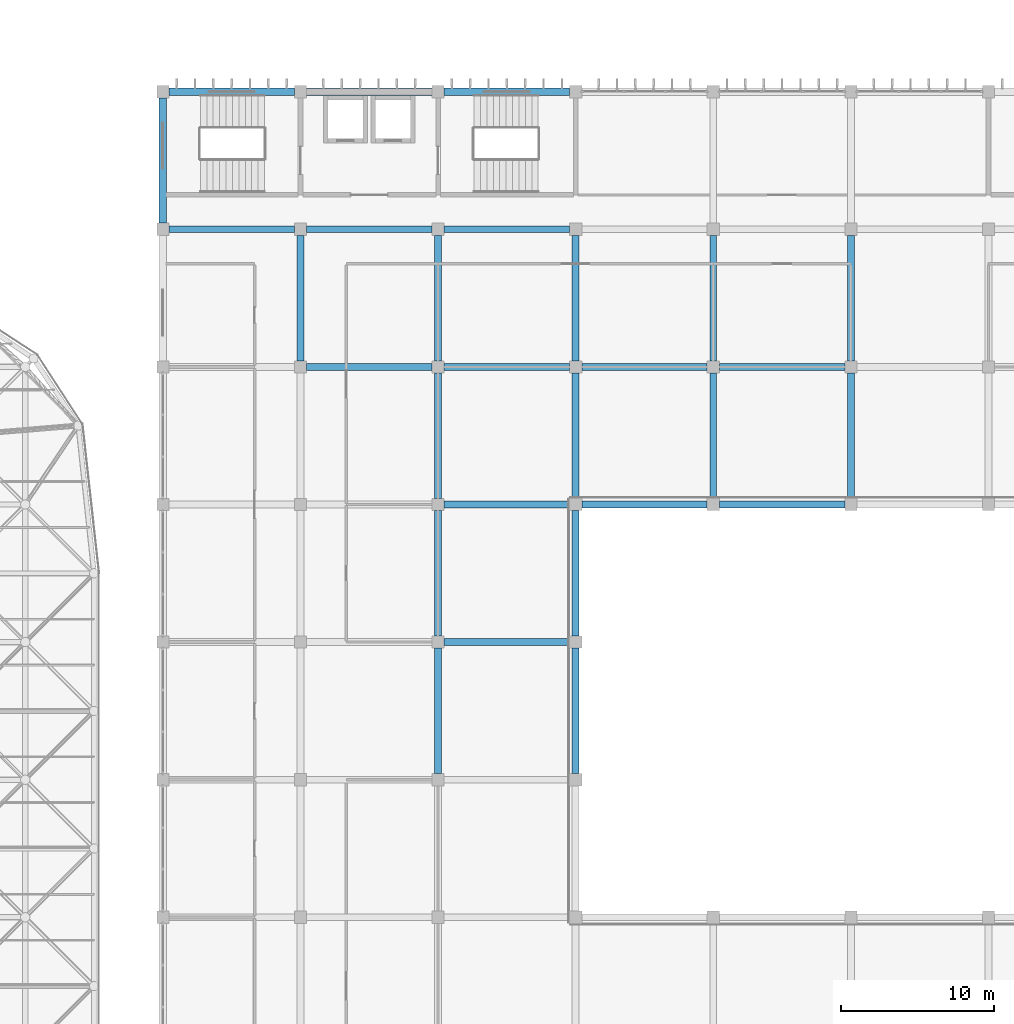
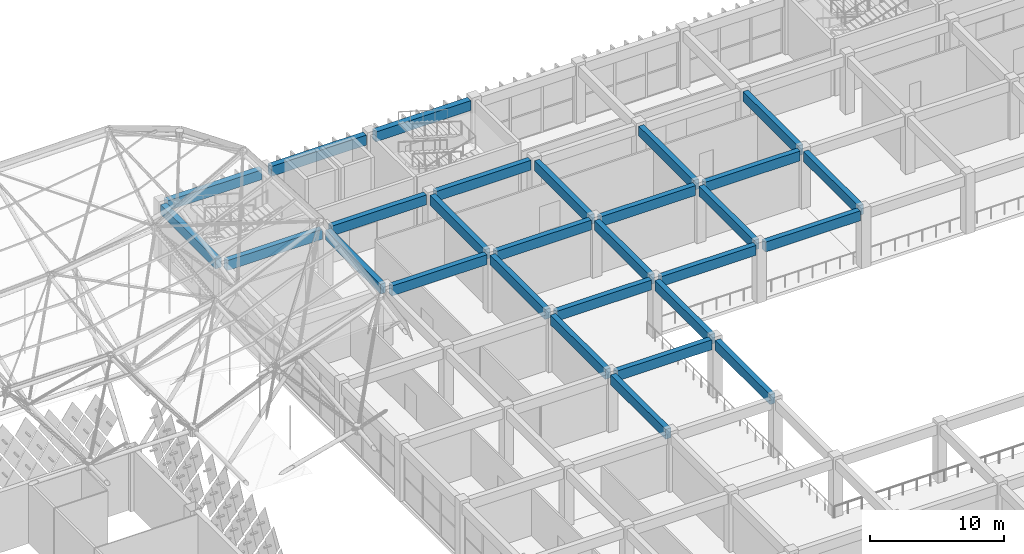
# One storey, part 213 of 437: 28 beams.
"""IFC4 building model written with IfcOpenShell, lengths in metres."""

from ifc_helpers import new_model, si_unit, direction, frame, origin, origin_2d, place, context, subcontext, project, spatial, rectangle, extrude, material, material_profile, profile_set, type_object, element, save


model = new_model("IFC4")

# Units and contexts
model_context = context("Model", 3, precision=1e-05, world=origin(), true_north=direction((0.0, 1.0)))
body_context = subcontext(model_context, "Body", "Model", "MODEL_VIEW")
ifc_project = project(units=[si_unit("LENGTHUNIT", "METRE"), si_unit("AREAUNIT", "SQUARE_METRE"), si_unit("VOLUMEUNIT", "CUBIC_METRE"), si_unit("PLANEANGLEUNIT", "RADIAN"), si_unit("MASSUNIT", "GRAM", prefix="KILO")], contexts=[model_context])

# Site, building, storey
site_placement = place(None, origin())
site = spatial("IfcSite", under=ifc_project, at=site_placement, CompositionType="ELEMENT")
building_placement = place(site_placement, origin())
building = spatial("IfcBuilding", under=site, at=building_placement, Name="Opaline Strait Convention Centre", CompositionType="ELEMENT")
storey_placement = place(building_placement, frame((0.0, 0.0, 11.5)))
storey = spatial("IfcBuildingStorey", under=building, at=storey_placement, Name="L02", CompositionType="ELEMENT", Elevation=11.5)

# Beams
ifc_material = material(Name="Concrete C35", Category="concrete")
ifc_material_profile_1 = material_profile(ifc_material, rectangle(XDim=0.449951171875, YDim=0.89990234375, at=origin_2d()), Name="RC 450x900")
ifc_profile_set_1 = profile_set([ifc_material_profile_1], Name="Concrete C35")
beam_type_1 = type_object("IfcBeamType", Name="RC beam 450x900 C35", PredefinedType="BEAM", material=ifc_profile_set_1)
for number, where, z_axis, x_axis, name in (
    (1, (297.39990234375, 144.0, 4.77001953125), (1.0, 0.0, 0.0), (0.0, 1.0, 0.0), "XB1 L02 34/S-35/S"),
    (2, (297.39990234375, 153.0, 4.77001953125), (1.0, 0.0, 0.0), (0.0, 1.0, 0.0), "XB1 L02 34/T-35/T"),
    (3, (306.39990234375, 153.0, 4.77001953125), (1.0, 0.0, 0.0), (0.0, 1.0, 0.0), "XB1 L02 35/T-36/T"),
    (4, (315.39990234375, 153.0, 4.77001953125), (1.0, 0.0, 0.0), (0.0, 1.0, 0.0), "XB1 L02 36/T-37/T"),
    (5, (288.39990234375, 162.0, 4.77001953125), (1.0, 0.0, 0.0), (0.0, 1.0, 0.0), "XB1 L02 33/U-34/U"),
    (6, (297.39990234375, 162.0, 4.77001953125), (1.0, 0.0, 0.0), (0.0, 1.0, 0.0), "XB1 L02 34/U-35/U"),
    (7, (306.39990234375, 162.0, 4.77001953125), (1.0, 0.0, 0.0), (0.0, 1.0, 0.0), "XB1 L02 35/U-36/U"),
    (8, (315.39990234375, 162.0, 4.77001953125), (1.0, 0.0, 0.0), (0.0, 1.0, 0.0), "XB1 L02 36/U-37/U"),
    (9, (279.39990234375, 171.0, 4.77001953125), (1.0, 0.0, 0.0), (0.0, 1.0, 0.0), "XB1 L02 32/V-33/V"),
    (10, (288.39990234375, 171.0, 4.77001953125), (1.0, 0.0, 0.0), (0.0, 1.0, 0.0), "XB1 L02 33/V-34/V"),
    (11, (297.39990234375, 171.0, 4.77001953125), (1.0, 0.0, 0.0), (0.0, 1.0, 0.0), "XB1 L02 34/V-35/V"),
    (12, (288.0, 162.39990234375, 4.77001953125), (0.0, 1.0, 0.0), (-1.0, 0.0, 0.0), "XB1 L02 33/U-33/V"),
    (13, (297.0, 135.39990234375, 4.77001953125), (0.0, 1.0, 0.0), (-1.0, 0.0, 0.0), "XB1 L02 34/R-34/S"),
    (14, (297.0, 144.39990234375, 4.77001953125), (0.0, 1.0, 0.0), (-1.0, 0.0, 0.0), "XB1 L02 34/S-34/T"),
    (15, (297.0, 153.39990234375, 4.77001953125), (0.0, 1.0, 0.0), (-1.0, 0.0, 0.0), "XB1 L02 34/T-34/U"),
    (16, (297.0, 162.39990234375, 4.77001953125), (0.0, 1.0, 0.0), (-1.0, 0.0, 0.0), "XB1 L02 34/U-34/V"),
    (17, (306.0, 135.39990234375, 4.77001953125), (0.0, 1.0, 0.0), (-1.0, 0.0, 0.0), "XB1 L02 35/R-35/S"),
    (18, (306.0, 144.39990234375, 4.77001953125), (0.0, 1.0, 0.0), (-1.0, 0.0, 0.0), "XB1 L02 35/S-35/T"),
    (19, (306.0, 153.39990234375, 4.77001953125), (0.0, 1.0, 0.0), (-1.0, 0.0, 0.0), "XB1 L02 35/T-35/U"),
    (20, (306.0, 162.39990234375, 4.77001953125), (0.0, 1.0, 0.0), (-1.0, 0.0, 0.0), "XB1 L02 35/U-35/V"),
    (21, (315.0, 153.39990234375, 4.77001953125), (0.0, 1.0, 0.0), (-1.0, 0.0, 0.0), "XB1 L02 36/T-36/U"),
    (22, (315.0, 162.39990234375, 4.77001953125), (0.0, 1.0, 0.0), (-1.0, 0.0, 0.0), "XB1 L02 36/U-36/V"),
    (23, (324.0, 153.39990234375, 4.77001953125), (0.0, 1.0, 0.0), (-1.0, 0.0, 0.0), "XB1 L02 37/T-37/U"),
    (24, (324.0, 162.39990234375, 4.77001953125), (0.0, 1.0, 0.0), (-1.0, 0.0, 0.0), "XB1 L02 37/U-37/V"),
):
    element("IfcBeam", number, at=place(storey_placement, frame(where, z_axis=z_axis, x_axis=x_axis)), inside=storey, type_object=beam_type_1, Name=name, PredefinedType="BEAM", context=body_context, shape_type="SweptSolid", body=[
        extrude(rectangle(XDim=0.449951171875, YDim=0.89990234375, at=origin_2d()), origin(), (0.0, 0.0, 1.0), 8.2001953125),
    ])
ifc_material_profile_2 = material_profile(ifc_material, rectangle(XDim=0.5, YDim=0.89990234375, at=origin_2d()), Name="RC 500x900")
ifc_profile_set_2 = profile_set([ifc_material_profile_2], Name="Concrete C35")
beam_type_2 = type_object("IfcBeamType", Name="RC edge beam 500x900 C35", PredefinedType="BEAM", material=ifc_profile_set_2)
for number, where, z_axis, x_axis, name in (
    (25, (279.39990234375, 180.0, 4.77001953125), (1.0, 0.0, 0.0), (0.0, 1.0, 0.0), "MRB2 L02 32/W-33/W"),
    (26, (288.39990234375, 180.0, 4.77001953125), (1.0, 0.0, 0.0), (0.0, 1.0, 0.0), "MRB2 L02 33/W-34/W"),
    (27, (297.39990234375, 180.0, 4.77001953125), (1.0, 0.0, 0.0), (0.0, 1.0, 0.0), "MRB2 L02 34/W-35/W"),
    (28, (279.0, 171.39990234375, 4.77001953125), (0.0, 1.0, 0.0), (-1.0, 0.0, 0.0), "MRB2 L02 32/V-32/W"),
):
    element("IfcBeam", number, at=place(storey_placement, frame(where, z_axis=z_axis, x_axis=x_axis)), inside=storey, type_object=beam_type_2, Name=name, PredefinedType="BEAM", context=body_context, shape_type="SweptSolid", body=[
        extrude(rectangle(XDim=0.5, YDim=0.89990234375, at=origin_2d()), origin(), (0.0, 0.0, 1.0), 8.2001953125),
    ])

save(model, "model.ifc")
